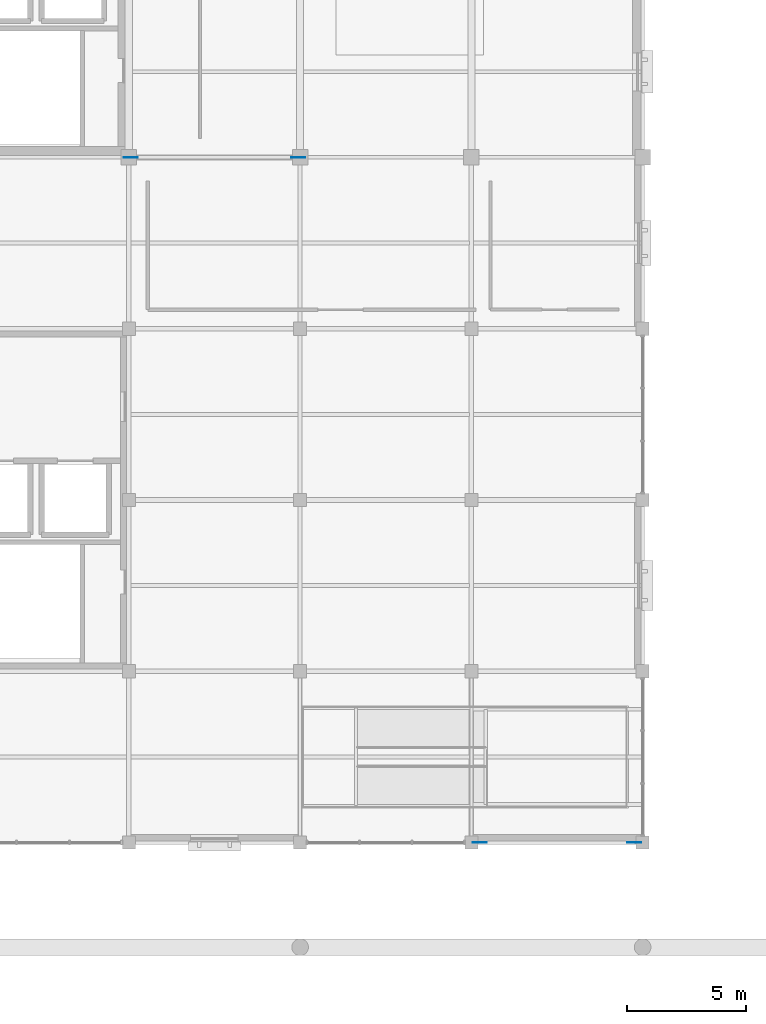
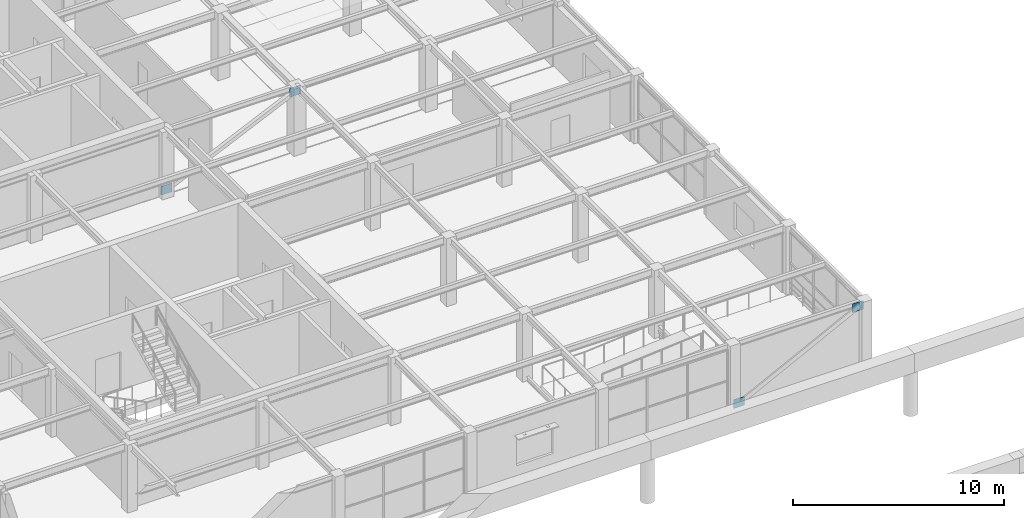
# One storey, part 62 of 83: 4 plates.
"""IFC4 building model written with IfcOpenShell, lengths in metres."""

from ifc_helpers import new_model, si_unit, direction, frame, origin, origin_2d, place, context, subcontext, project, spatial, rectangle, extrude, material, layer, layer_set, type_object, element, save


model = new_model("IFC4")

# Units and contexts
model_context = context("Model", 3, precision=1e-05, world=origin(), true_north=direction((0.0, 1.0)))
body_context = subcontext(model_context, "Body", "Model", "MODEL_VIEW")
ifc_project = project(units=[si_unit("LENGTHUNIT", "METRE"), si_unit("AREAUNIT", "SQUARE_METRE"), si_unit("VOLUMEUNIT", "CUBIC_METRE"), si_unit("PLANEANGLEUNIT", "RADIAN"), si_unit("MASSUNIT", "GRAM", prefix="KILO")], contexts=[model_context])

# Site, building, storey
site_placement = place(None, origin())
site = spatial("IfcSite", under=ifc_project, at=site_placement, CompositionType="ELEMENT")
building_placement = place(site_placement, origin())
building = spatial("IfcBuilding", under=site, at=building_placement, Name="Leyfeld Transit Interchange", CompositionType="ELEMENT")
storey_placement = place(building_placement, frame((0.0, 0.0, 5.39990234375)))
storey = spatial("IfcBuildingStorey", under=building, at=storey_placement, Name="L01", CompositionType="ELEMENT", Elevation=5.39990234375)

# Plates
ifc_material = material(Name="Steel S355J2", Category="steel")
ifc_layer = layer(ifc_material, 0.02490234375, Name="Steel S355J2")
ifc_layer_set = layer_set([ifc_layer], Name="Steel S355J2")
plate_type = type_object("IfcPlateType", Name="PLT-GUS-25", PredefinedType="SHEET", material=ifc_layer_set)
for number, where, z_axis, x_axis, name in (
    (1, (21.679931640625, 93.60009765625, 0.050048828125), (0.0, 0.0, 1.0), (1.0, 0.0, 0.0), "Bracing Lower Gusset 002"),
    (2, (28.719970703125, 93.60009765625, 3.25), (0.0, 0.0, 1.0), (1.0, 0.0, 0.0), "Bracing Upper Gusset 002"),
    (3, (36.35009765625, 64.800048828125, 0.050048828125), (0.0, 0.0, 1.0), (1.0, 0.0, 0.0), "Bracing Lower Gusset 005"),
    (4, (42.85009765625, 64.800048828125, 3.320068359375), (0.0, 0.0, 1.0), (1.0, 0.0, 0.0), "Bracing Upper Gusset 005"),
):
    element("IfcPlate", number, at=place(storey_placement, frame(where, z_axis=z_axis, x_axis=x_axis)), inside=storey, type_object=plate_type, Name=name, PredefinedType="SHEET", context=body_context, shape_type="SweptSolid", body=[
        extrude(rectangle(XDim=0.60009765625, YDim=0.02490234375, at=origin_2d()), origin(), (0.0, 0.0, 1.0), 0.5),
    ])

save(model, "model.ifc")
